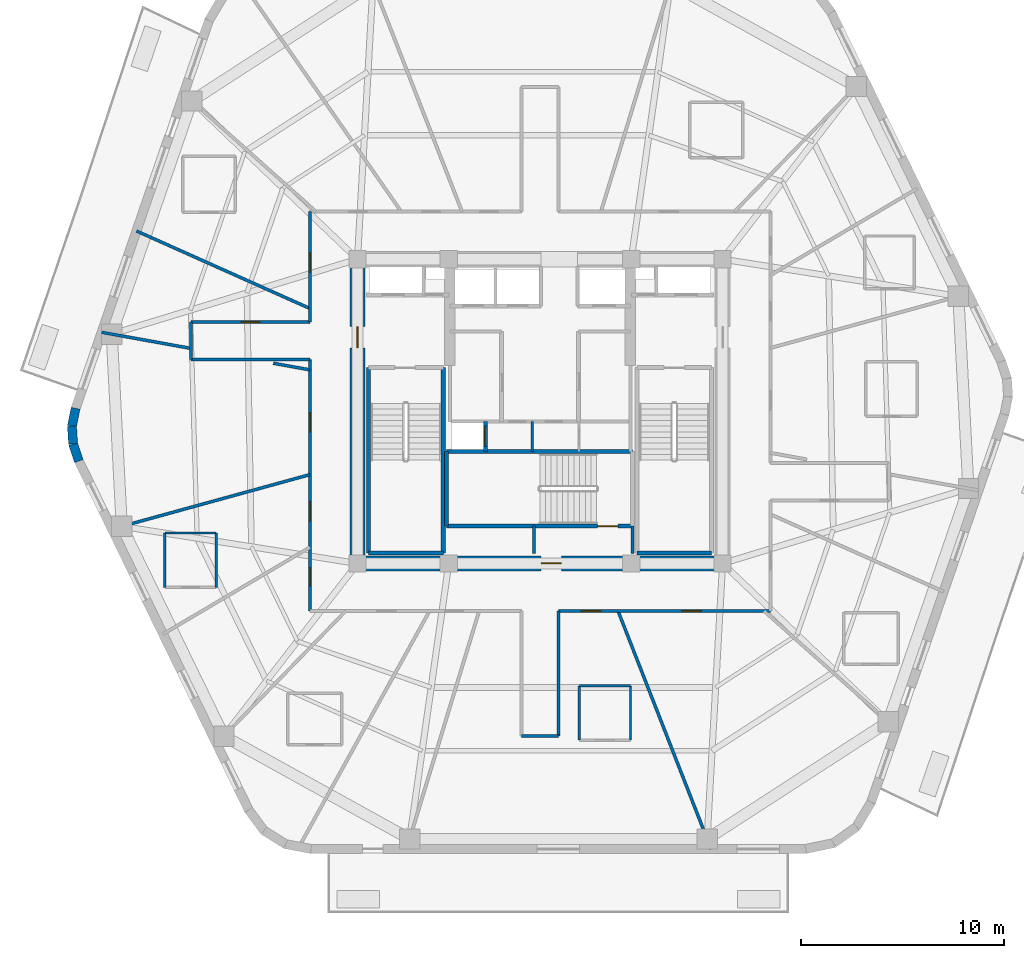
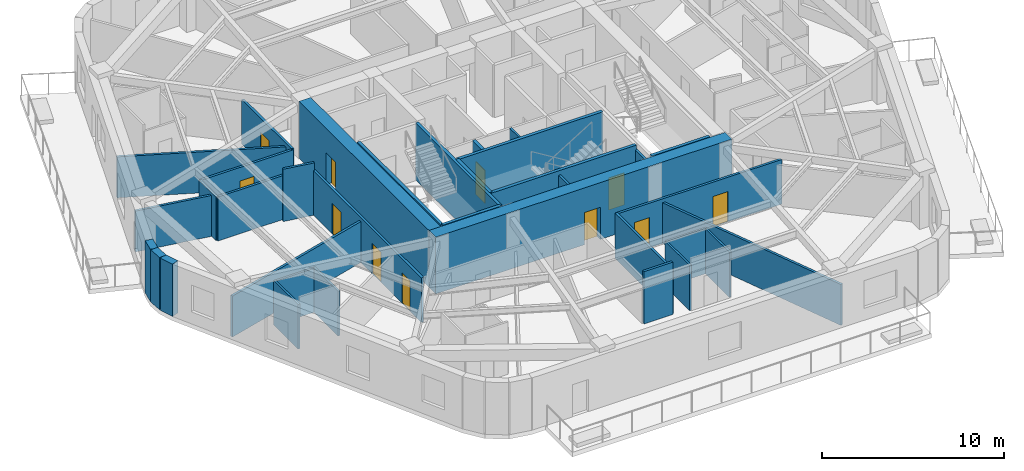
# One storey, part 3 of 9: 35 walls, 11 doors, 11 openings.
"""IFC4 building model written with IfcOpenShell, lengths in metres."""

import ifcopenshell
import ifcopenshell.guid

model = None  # the IFC model being written
_history = None  # IfcOwnerHistory: only IFC2X3 demands one
_inside = {}  # id of a spatial element -> (the spatial element, [elements in it])
_under = {}  # id of a project, library or spatial element -> (it, [spatial elements below it])
_declared = {}  # id of a project -> (the project, [libraries it declares])
_typed = {}  # id of a type object -> (the type object, [elements of that type])
_made_of = {}  # id of a material, layer set ... -> (it, [elements and type objects made of it])


def new_model(schema):
    """Start an empty IFC model of exactly this schema.

    Asked for "IFC4X3", IfcOpenShell would pick the latest addendum, in which some entities
    have other attributes; the version numbers below select the first issue.
    IFC2X3 requires an IfcOwnerHistory on every rooted entity: one is made here for all.
    """
    global model, _history
    if schema == "IFC4X3":
        model = ifcopenshell.file(schema_version=(4, 3, 0, 0))
    else:
        model = ifcopenshell.file(schema=schema)
    _inside.clear()
    _under.clear()
    _declared.clear()
    _typed.clear()
    _made_of.clear()
    _history = None
    if model.schema == "IFC2X3":
        org = make("IfcOrganization", Name="unknown")
        user = make(
            "IfcPersonAndOrganization",
            ThePerson=make("IfcPerson", FamilyName="unknown"),
            TheOrganization=org,
        )
        app = make(
            "IfcApplication",
            ApplicationDeveloper=org,
            Version="unknown",
            ApplicationFullName="unknown",
            ApplicationIdentifier="unknown",
        )
        _history = make(
            "IfcOwnerHistory",
            OwningUser=user,
            OwningApplication=app,
            ChangeAction="ADDED",
            CreationDate=0,
        )
    return model


def make(cls, **values):
    """One entity of the class cls with the attributes given. An attribute that is None is left unset."""
    return model.create_entity(
        cls, **{name: value for name, value in values.items() if value is not None}
    )


def rooted(cls, **values):
    """An entity with a GlobalId (a new one), such as an element, a storey or a relation."""
    return make(cls, GlobalId=ifcopenshell.guid.new(), OwnerHistory=_history, **values)


def si_unit(unit_type, name, prefix=None):
    """IfcSIUnit, for example si_unit("LENGTHUNIT", "METRE", prefix="MILLI")."""
    return make("IfcSIUnit", UnitType=unit_type, Prefix=prefix, Name=name)


def assignment(units):
    """IfcUnitAssignment: the units of a project."""
    return None if units is None else make("IfcUnitAssignment", Units=units)


def point(xyz):
    """IfcCartesianPoint."""
    return None if xyz is None else make("IfcCartesianPoint", Coordinates=xyz)


def direction(xyz):
    """IfcDirection."""
    return None if xyz is None else make("IfcDirection", DirectionRatios=xyz)


def frame(location, z_axis=None, x_axis=None):
    """IfcAxis2Placement3D, a coordinate frame: its origin and axes. An axis left out is left unset."""
    return make(
        "IfcAxis2Placement3D",
        Location=point(location),
        Axis=direction(z_axis),
        RefDirection=direction(x_axis),
    )


def frame_2d(location, x_axis=None):
    """IfcAxis2Placement2D, a coordinate frame in the plane: its origin and x axis."""
    return make(
        "IfcAxis2Placement2D", Location=point(location), RefDirection=direction(x_axis)
    )


def origin():
    """The frame at (0, 0, 0) with its axes left unset."""
    return frame((0.0, 0.0, 0.0))


def place(relative_to, where):
    """IfcLocalPlacement: puts the frame where relative to a parent placement (None: the world)."""
    return make(
        "IfcLocalPlacement", PlacementRelTo=relative_to, RelativePlacement=where
    )


def context(
    kind, dimensions, precision=None, world=None, true_north=None, identifier=None
):
    """IfcGeometricRepresentationContext, for example the 3D "Model" context."""
    return make(
        "IfcGeometricRepresentationContext",
        ContextIdentifier=identifier,
        ContextType=kind,
        CoordinateSpaceDimension=dimensions,
        Precision=precision,
        WorldCoordinateSystem=world,
        TrueNorth=true_north,
    )


def subcontext(parent, identifier, kind, view, scale=None):
    """IfcGeometricRepresentationSubContext, for example "Body" below "Model"."""
    return make(
        "IfcGeometricRepresentationSubContext",
        ContextIdentifier=identifier,
        ContextType=kind,
        ParentContext=parent,
        TargetScale=scale,
        TargetView=view,
    )


def project(units=None, contexts=None):
    """IfcProject with its units and contexts."""
    return rooted(
        "IfcProject",
        Name="project",
        RepresentationContexts=contexts,
        UnitsInContext=assignment(units),
    )


def spatial(cls, under=None, at=None, **own):
    """A site, building, storey or space (cls), placed at a placement, below another one or the project."""
    s = rooted(cls, ObjectPlacement=at, **own)
    if under is not None:
        _under.setdefault(under.id(), (under, []))[1].append(s)
    return s


def profile(cls, at=None, kind="AREA", **sizes):
    """A parametric profile (cls). Its sizes go by their IFC names, for example OverallWidth=200.0."""
    return make(cls, ProfileType=kind, Position=at, **sizes)


def rectangle(**sizes):
    """IfcRectangleProfileDef."""
    return profile("IfcRectangleProfileDef", **sizes)


def extrude(swept, where, along, depth):
    """IfcExtrudedAreaSolid: the profile swept, set in the frame where, extruded along a direction by depth."""
    return make(
        "IfcExtrudedAreaSolid",
        SweptArea=swept,
        Position=where,
        ExtrudedDirection=direction(along),
        Depth=depth,
    )


def shape(context_of_items, identifier, shape_type, items):
    """IfcShapeRepresentation: the items that make up one representation, for example the "Body"."""
    return make(
        "IfcShapeRepresentation",
        ContextOfItems=context_of_items,
        RepresentationIdentifier=identifier,
        RepresentationType=shape_type,
        Items=items,
    )


def material(Name=None, Category=None):
    """IfcMaterial."""
    return make("IfcMaterial", Name=Name, Category=Category)


def layer(
    of_material, thickness, ventilated=None, Name=None, Category=None, Priority=None
):
    """IfcMaterialLayer: one layer of a wall or slab, of a material (None: an air gap)."""
    return make(
        "IfcMaterialLayer",
        Material=of_material,
        LayerThickness=thickness,
        IsVentilated=ventilated,
        Name=Name,
        Category=Category,
        Priority=Priority,
    )


def layer_set(layers, Name=None):
    """IfcMaterialLayerSet."""
    return make("IfcMaterialLayerSet", MaterialLayers=layers, LayerSetName=Name)


def made_of(thing, what):
    """Note that an element or type object is made of a material, layer set ...; save() writes the relation."""
    if what is not None:
        _made_of.setdefault(what.id(), (what, []))[1].append(thing)
    return thing


def type_object(cls, material=None, **own):
    """A type object (cls), such as IfcWallType, which elements share."""
    return made_of(rooted(cls, **own), material)


def element(
    cls,
    number,
    at=None,
    inside=None,
    cuts=None,
    type_object=None,
    material=None,
    context=None,
    identifier="Body",
    shape_type=None,
    held_by="IfcProductDefinitionShape",
    body=None,
    shapes=None,
    **own,
):
    """One element of the class cls, such as IfcWall. Its Tag is "e" and its number.

    at: its placement. inside: the storey or other place that contains it. cuts: it is an
    opening in that element (IfcRelVoidsElement). A single representation is given by context,
    identifier, shape_type and body (its items); several are given by shapes. held_by: the class
    of the entity that holds the representations. save() writes the other relations.
    """
    e = rooted(cls, Tag="e%d" % number, ObjectPlacement=at, **own)
    if body is not None:
        shapes = [shape(context, identifier, shape_type, body)]
    if shapes is not None:
        e.Representation = make(held_by, Representations=shapes)
    if inside is not None:
        _inside.setdefault(inside.id(), (inside, []))[1].append(e)
    if cuts is not None:
        rooted(
            "IfcRelVoidsElement", RelatingBuildingElement=cuts, RelatedOpeningElement=e
        )
    if type_object is not None:
        _typed.setdefault(type_object.id(), (type_object, []))[1].append(e)
    return made_of(e, material)


def fill(opening, filler):
    """IfcRelFillsElement: the door or window that sits in an opening."""
    return rooted(
        "IfcRelFillsElement",
        RelatingOpeningElement=opening,
        RelatedBuildingElement=filler,
    )


def aggregate(whole, parts):
    """IfcRelAggregates: a whole, such as a stair, and the parts it consists of."""
    return rooted("IfcRelAggregates", RelatingObject=whole, RelatedObjects=parts)


def save(model, path):
    """Write the relations noted so far, then the file.

    IfcRelAggregates (storeys below a building ...), IfcRelContainedInSpatialStructure (elements
    in a storey), IfcRelDefinesByType, IfcRelAssociatesMaterial and IfcRelDeclares: one each for
    every whole, place, type object, material and project.
    """
    for whole, parts in _under.values():
        aggregate(whole, parts)
    for where, things in _inside.values():
        rooted(
            "IfcRelContainedInSpatialStructure",
            RelatedElements=things,
            RelatingStructure=where,
        )
    for kind, things in _typed.values():
        rooted("IfcRelDefinesByType", RelatedObjects=things, RelatingType=kind)
    for what, things in _made_of.values():
        rooted("IfcRelAssociatesMaterial", RelatedObjects=things, RelatingMaterial=what)
    for by, libraries in _declared.values():
        rooted("IfcRelDeclares", RelatingContext=by, RelatedDefinitions=libraries)
    model.write(path)


model = new_model("IFC4")

# Units and contexts
model_context = context("Model", 3, precision=1e-05, world=origin(), true_north=direction((0.0, 1.0)))
body_context = subcontext(model_context, "Body", "Model", "MODEL_VIEW")
ifc_project = project(units=[si_unit("LENGTHUNIT", "METRE"), si_unit("AREAUNIT", "SQUARE_METRE"), si_unit("VOLUMEUNIT", "CUBIC_METRE"), si_unit("PLANEANGLEUNIT", "RADIAN"), si_unit("MASSUNIT", "GRAM", prefix="KILO")], contexts=[model_context])

# Site, building, storey
site_placement = place(None, origin())
site = spatial("IfcSite", under=ifc_project, at=site_placement, CompositionType="ELEMENT")
building_placement = place(site_placement, origin())
building = spatial("IfcBuilding", under=site, at=building_placement, Name="Kilnhurst Terrace Hotel", CompositionType="ELEMENT")
storey_placement = place(building_placement, frame((0.0, 0.0, 225.5)))
storey = spatial("IfcBuildingStorey", under=building, at=storey_placement, Name="L56", CompositionType="ELEMENT", Elevation=225.5)

# Walls
ifc_material_1 = material(Name="Precast concrete C40/50", Category="concrete")
ifc_layer_1 = layer(ifc_material_1, 0.449951171875, Name="Precast concrete C40/50")
ifc_layer_set_1 = layer_set([ifc_layer_1], Name="Precast concrete C40/50")
wall_type_1 = type_object("IfcWallType", Name="WL-BRK-450", PredefinedType="SOLIDWALL", material=ifc_layer_set_1)
wall_1_placement = place(storey_placement, frame((-22.8984375, 0.149658203125, 0.0), z_axis=(0.0, 0.0, 1.0), x_axis=(-0.199055826889, -0.979988151858, 0.0)))
element("IfcWall", 1, at=wall_1_placement, inside=storey, type_object=wall_type_1, Name="L56 Rounded Corner Brick Wall C6.1", PredefinedType="SOLIDWALL", context=body_context, shape_type="SweptSolid", body=[
    extrude(rectangle(XDim=0.89404296875, YDim=0.449951171875, at=frame_2d((0.447021484375, 0.0))), origin(), (0.0, 0.0, 1.0), 3.5),
])
wall_2_placement = place(storey_placement, frame((-23.076416015625, -0.7265625, 0.0), z_axis=(0.0, 0.0, 1.0), x_axis=(0.060805222108, -0.998149650586, 0.0)))
element("IfcWall", 2, at=wall_2_placement, inside=storey, type_object=wall_type_1, Name="L56 Rounded Corner Brick Wall C6.2", PredefinedType="SOLIDWALL", context=body_context, shape_type="SweptSolid", body=[
    extrude(rectangle(XDim=0.87939453125, YDim=0.449951171875, at=frame_2d((0.439697265625, 0.0))), origin(), (0.0, 0.0, 1.0), 3.5),
])
wall_3_placement = place(storey_placement, frame((-23.02294921875, -1.604248046875, 0.0), z_axis=(0.0, 0.0, 1.0), x_axis=(0.316801227695, -0.948491951537, 0.0)))
element("IfcWall", 3, at=wall_3_placement, inside=storey, type_object=wall_type_1, Name="L56 Rounded Corner Brick Wall C6.3", PredefinedType="SOLIDWALL", context=body_context, shape_type="SweptSolid", body=[
    extrude(rectangle(XDim=0.89404296875, YDim=0.449951171875, at=frame_2d((0.447021484375, 0.0))), origin(), (0.0, 0.0, 1.0), 3.5),
])

# Wall, openings, doors
ifc_material_2 = material(Name="Acoustic Double-Gypsum Corridor Partition Assembly")
ifc_layer_2 = layer(ifc_material_2, 0.14990234375, Name="Acoustic Double-Gypsum Corridor Partition Assembly")
ifc_layer_set_2 = layer_set([ifc_layer_2], Name="Acoustic Double-Gypsum Corridor Partition Assembly")
wall_type_2 = type_object("IfcWallType", Name="WL-COR-150", PredefinedType="PARTITIONING", material=ifc_layer_set_2)
wall_4_placement = place(storey_placement, frame((-11.35009765625, -9.85009765625, 0.0), z_axis=(0.0, 0.0, 1.0), x_axis=(0.0, 1.0, 0.0)))
wall_4 = element("IfcWall", 4, at=wall_4_placement, inside=storey, type_object=wall_type_2, Name="L56 Interior Wall WL-L56-COR-01", PredefinedType="PARTITIONING", context=body_context, shape_type="SweptSolid", body=[
    extrude(rectangle(XDim=12.400146484375, YDim=0.14990234375, at=frame_2d((6.2001953125, 0.0))), origin(), (0.0, 0.0, 1.0), 2.989990234375),
])
opening_1_placement = place(wall_4_placement, frame((8.8349609375, 0.0, 0.0)))
opening_1 = element("IfcOpeningElement", 5, at=opening_1_placement, cuts=wall_4, Name="Opening D-60B", PredefinedType="OPENING", context=body_context, shape_type="SweptSolid", body=[
    extrude(rectangle(XDim=0.949951171875, YDim=2.030029296875, at=frame_2d((0.47509765625, 1.01513671875))), frame((0.0, 0.0849609375, 0.0), z_axis=(0.0, -1.0, 0.0), x_axis=(1.0, 0.0, 0.0)), (0.0, 0.0, 1.0), 0.169921875),
])
opening_2_placement = place(wall_4_placement, frame((4.443115234375, 0.0, 0.0)))
opening_2 = element("IfcOpeningElement", 6, at=opening_2_placement, cuts=wall_4, Name="Opening D-60B", PredefinedType="OPENING", context=body_context, shape_type="SweptSolid", body=[
    extrude(rectangle(XDim=0.949951171875, YDim=2.030029296875, at=frame_2d((0.47509765625, 1.01513671875))), frame((0.0, 0.0849609375, 0.0), z_axis=(0.0, -1.0, 0.0), x_axis=(1.0, 0.0, 0.0)), (0.0, 0.0, 1.0), 0.169921875),
])
opening_3_placement = place(wall_4_placement, frame((1.241943359375, 0.0, 0.0)))
opening_3 = element("IfcOpeningElement", 7, at=opening_3_placement, cuts=wall_4, Name="Opening D-60C", PredefinedType="OPENING", context=body_context, shape_type="SweptSolid", body=[
    extrude(rectangle(XDim=0.89990234375, YDim=2.030029296875, at=frame_2d((0.449951171875, 1.01513671875))), frame((0.0, 0.0849609375, 0.0), z_axis=(0.0, -1.0, 0.0), x_axis=(1.0, 0.0, 0.0)), (0.0, 0.0, 1.0), 0.169921875),
])
ifc_material_3 = material(Name="Painted Solid-Core Service Fire Door")
door_type_1 = type_object("IfcDoorType", Name="DR-FD60-900", OperationType="NOTDEFINED", PredefinedType="DOOR", material=ifc_material_3)
door_1_placement = place(opening_3_placement, origin())
door_1 = element("IfcDoor", 8, at=door_1_placement, inside=storey, type_object=door_type_1, Name="L56 Private Tasting Dining Room Door 11", OperationType="SINGLE_SWING_LEFT", OverallHeight=2.030029296875, OverallWidth=0.89990234375, PredefinedType="DOOR", context=body_context, shape_type="SweptSolid", body=[
    extrude(rectangle(XDim=0.89990234375, YDim=2.030029296875, at=frame_2d((0.449951171875, 1.01513671875))), frame((0.0, 0.02490234375, 0.0), z_axis=(0.0, -1.0, 0.0), x_axis=(1.0, 0.0, 0.0)), (0.0, 0.0, 1.0), 0.050048828125),
])
fill(opening_3, door_1)
ifc_material_4 = material(Name="Acoustic Walnut Veneer Solid-Core Fire Door")
door_type_2 = type_object("IfcDoorType", Name="DR-FD60-950", OperationType="NOTDEFINED", PredefinedType="DOOR", material=ifc_material_4)
door_2_placement = place(opening_1_placement, origin())
door_2 = element("IfcDoor", 9, at=door_2_placement, inside=storey, type_object=door_type_2, Name="L56 Fitness Studio Door", OperationType="SINGLE_SWING_LEFT", OverallHeight=2.030029296875, OverallWidth=0.949951171875, PredefinedType="DOOR", context=body_context, shape_type="SweptSolid", body=[
    extrude(rectangle(XDim=0.949951171875, YDim=2.030029296875, at=frame_2d((0.47509765625, 1.01513671875))), frame((0.0, 0.02490234375, 0.0), z_axis=(0.0, -1.0, 0.0), x_axis=(1.0, 0.0, 0.0)), (0.0, 0.0, 1.0), 0.050048828125),
])
fill(opening_1, door_2)
door_3_placement = place(opening_2_placement, origin())
door_3 = element("IfcDoor", 10, at=door_3_placement, inside=storey, type_object=door_type_2, Name="L56 Guest Room Entry Door 10", OperationType="SINGLE_SWING_RIGHT", OverallHeight=2.030029296875, OverallWidth=0.949951171875, PredefinedType="DOOR", context=body_context, shape_type="SweptSolid", body=[
    extrude(rectangle(XDim=0.949951171875, YDim=2.030029296875, at=frame_2d((0.47509765625, 1.01513671875))), frame((0.0, 0.02490234375, 0.0), z_axis=(0.0, -1.0, 0.0), x_axis=(1.0, 0.0, 0.0)), (0.0, 0.0, 1.0), 0.050048828125),
])
fill(opening_2, door_3)

# Walls
wall_5_placement = place(storey_placement, frame((-11.35009765625, 2.550048828125, 0.0), z_axis=(0.0, 0.0, 1.0), x_axis=(-1.0, 0.0, 0.0)))
element("IfcWall", 11, at=wall_5_placement, inside=storey, type_object=wall_type_2, Name="L56 Interior Wall WL-L56-COR-02", PredefinedType="PARTITIONING", context=body_context, shape_type="SweptSolid", body=[
    extrude(rectangle(XDim=5.849853515625, YDim=0.14990234375, at=frame_2d((2.9248046875, 0.0))), origin(), (0.0, 0.0, 1.0), 2.9404296875),
])
wall_6_placement = place(storey_placement, frame((-17.199951171875, 2.550048828125, 0.0), z_axis=(0.0, 0.0, 1.0), x_axis=(0.0, 1.0, 0.0)))
element("IfcWall", 12, at=wall_6_placement, inside=storey, type_object=wall_type_2, Name="L56 Interior Wall WL-L56-COR-03", PredefinedType="PARTITIONING", context=body_context, shape_type="SweptSolid", body=[
    extrude(rectangle(XDim=1.849853515625, YDim=0.14990234375, at=frame_2d((0.9248046875, 0.0))), origin(), (0.0, 0.0, 1.0), 2.9404296875),
])

# Wall, opening, door
wall_7_placement = place(storey_placement, frame((-17.199951171875, 4.39990234375, 0.0), z_axis=(0.0, 0.0, 1.0), x_axis=(1.0, 0.0, 0.0)))
wall_7 = element("IfcWall", 13, at=wall_7_placement, inside=storey, type_object=wall_type_2, Name="L56 Interior Wall WL-L56-COR-04", PredefinedType="PARTITIONING", context=body_context, shape_type="SweptSolid", body=[
    extrude(rectangle(XDim=5.849853515625, YDim=0.14990234375, at=frame_2d((2.9248046875, 0.0))), origin(), (0.0, 0.0, 1.0), 2.9404296875),
])
opening_4_placement = place(wall_7_placement, frame((2.47509765625, 0.0, 0.0)))
opening_4 = element("IfcOpeningElement", 14, at=opening_4_placement, cuts=wall_7, Name="Opening D-60C", PredefinedType="OPENING", context=body_context, shape_type="SweptSolid", body=[
    extrude(rectangle(XDim=0.89990234375, YDim=2.030029296875, at=frame_2d((0.449951171875, 1.01513671875))), frame((0.0, 0.0849609375, 0.0), z_axis=(0.0, -1.0, 0.0), x_axis=(1.0, 0.0, 0.0)), (0.0, 0.0, 1.0), 0.169921875),
])
door_4_placement = place(opening_4_placement, origin())
door_4 = element("IfcDoor", 15, at=door_4_placement, inside=storey, type_object=door_type_1, Name="L56 Wellness Consultation Room Door 8", OperationType="SINGLE_SWING_RIGHT", OverallHeight=2.030029296875, OverallWidth=0.89990234375, PredefinedType="DOOR", context=body_context, shape_type="SweptSolid", body=[
    extrude(rectangle(XDim=0.89990234375, YDim=2.030029296875, at=frame_2d((0.449951171875, 1.01513671875))), frame((0.0, 0.02490234375, 0.0), z_axis=(0.0, -1.0, 0.0), x_axis=(1.0, 0.0, 0.0)), (0.0, 0.0, 1.0), 0.050048828125),
])
fill(opening_4, door_4)

wall_8_placement = place(storey_placement, frame((-11.35009765625, 4.39990234375, 0.0), z_axis=(0.0, 0.0, 1.0), x_axis=(0.0, 1.0, 0.0)))
wall_8 = element("IfcWall", 16, at=wall_8_placement, inside=storey, type_object=wall_type_2, Name="L56 Interior Wall WL-L56-COR-05", PredefinedType="PARTITIONING", context=body_context, shape_type="SweptSolid", body=[
    extrude(rectangle(XDim=5.4501953125, YDim=0.14990234375, at=frame_2d((2.72509765625, 0.0))), origin(), (0.0, 0.0, 1.0), 2.989990234375),
])
opening_5_placement = place(wall_8_placement, frame((2.466064453125, 0.0, 0.0)))
opening_5 = element("IfcOpeningElement", 17, at=opening_5_placement, cuts=wall_8, Name="Opening D-60B", PredefinedType="OPENING", context=body_context, shape_type="SweptSolid", body=[
    extrude(rectangle(XDim=0.949951171875, YDim=2.030029296875, at=frame_2d((0.47509765625, 1.01513671875))), frame((0.0, 0.0849609375, 0.0), z_axis=(0.0, -1.0, 0.0), x_axis=(1.0, 0.0, 0.0)), (0.0, 0.0, 1.0), 0.169921875),
])
door_5_placement = place(opening_5_placement, origin())
door_5 = element("IfcDoor", 18, at=door_5_placement, inside=storey, type_object=door_type_2, Name="L56 Guest Room Entry Door 7", OperationType="SINGLE_SWING_LEFT", OverallHeight=2.030029296875, OverallWidth=0.949951171875, PredefinedType="DOOR", context=body_context, shape_type="SweptSolid", body=[
    extrude(rectangle(XDim=0.949951171875, YDim=2.030029296875, at=frame_2d((0.47509765625, 1.01513671875))), frame((0.0, 0.02490234375, 0.0), z_axis=(0.0, -1.0, 0.0), x_axis=(1.0, 0.0, 0.0)), (0.0, 0.0, 1.0), 0.050048828125),
])
fill(opening_5, door_5)

# Wall, openings, doors
wall_9_placement = place(storey_placement, frame((11.35009765625, -9.85009765625, 0.0), z_axis=(0.0, 0.0, 1.0), x_axis=(-1.0, 0.0, 0.0)))
wall_9 = element("IfcWall", 19, at=wall_9_placement, inside=storey, type_object=wall_type_2, Name="L56 Interior Wall WL-L56-COR-16", PredefinedType="PARTITIONING", context=body_context, shape_type="SweptSolid", body=[
    extrude(rectangle(XDim=10.43017578125, YDim=0.14990234375, at=frame_2d((5.215087890625, 0.0))), origin(), (0.0, 0.0, 1.0), 2.989990234375),
])
opening_6_placement = place(wall_9_placement, frame((8.362060546875, 0.0, 0.0)))
opening_6 = element("IfcOpeningElement", 20, at=opening_6_placement, cuts=wall_9, Name="Opening D-60B", PredefinedType="OPENING", context=body_context, shape_type="SweptSolid", body=[
    extrude(rectangle(XDim=0.949951171875, YDim=2.030029296875, at=frame_2d((0.47509765625, 1.01513671875))), frame((0.0, 0.0849609375, 0.0), z_axis=(0.0, -1.0, 0.0), x_axis=(1.0, 0.0, 0.0)), (0.0, 0.0, 1.0), 0.169921875),
])
opening_7_placement = place(wall_9_placement, frame((3.39599609375, 0.0, 0.0)))
opening_7 = element("IfcOpeningElement", 21, at=opening_7_placement, cuts=wall_9, Name="Opening D-60B", PredefinedType="OPENING", context=body_context, shape_type="SweptSolid", body=[
    extrude(rectangle(XDim=0.949951171875, YDim=2.030029296875, at=frame_2d((0.47509765625, 1.01513671875))), frame((0.0, 0.0849609375, 0.0), z_axis=(0.0, -1.0, 0.0), x_axis=(1.0, 0.0, 0.0)), (0.0, 0.0, 1.0), 0.169921875),
])
door_6_placement = place(opening_6_placement, origin())
door_6 = element("IfcDoor", 22, at=door_6_placement, inside=storey, type_object=door_type_2, Name="L56 Executive Suite Entry Door 14", OperationType="SINGLE_SWING_RIGHT", OverallHeight=2.030029296875, OverallWidth=0.949951171875, PredefinedType="DOOR", context=body_context, shape_type="SweptSolid", body=[
    extrude(rectangle(XDim=0.949951171875, YDim=2.030029296875, at=frame_2d((0.47509765625, 1.01513671875))), frame((0.0, 0.02490234375, 0.0), z_axis=(0.0, -1.0, 0.0), x_axis=(1.0, 0.0, 0.0)), (0.0, 0.0, 1.0), 0.050048828125),
])
fill(opening_6, door_6)
door_7_placement = place(opening_7_placement, origin())
door_7 = element("IfcDoor", 23, at=door_7_placement, inside=storey, type_object=door_type_2, Name="L56 Reading Study Door", OperationType="SINGLE_SWING_LEFT", OverallHeight=2.030029296875, OverallWidth=0.949951171875, PredefinedType="DOOR", context=body_context, shape_type="SweptSolid", body=[
    extrude(rectangle(XDim=0.949951171875, YDim=2.030029296875, at=frame_2d((0.47509765625, 1.01513671875))), frame((0.0, 0.02490234375, 0.0), z_axis=(0.0, -1.0, 0.0), x_axis=(1.0, 0.0, 0.0)), (0.0, 0.0, 1.0), 0.050048828125),
])
fill(opening_7, door_7)

# Walls
wall_10_placement = place(storey_placement, frame((0.919921875, -9.85009765625, 0.0), z_axis=(0.0, 0.0, 1.0), x_axis=(0.0, -1.0, 0.0)))
element("IfcWall", 24, at=wall_10_placement, inside=storey, type_object=wall_type_2, Name="L56 Interior Wall WL-L56-COR-17", PredefinedType="PARTITIONING", context=body_context, shape_type="SweptSolid", body=[
    extrude(rectangle(XDim=6.14990234375, YDim=0.14990234375, at=frame_2d((3.074951171875, 0.0))), origin(), (0.0, 0.0, 1.0), 3.026611328125),
])
wall_11_placement = place(storey_placement, frame((0.919921875, -16.0, 0.0), z_axis=(0.0, 0.0, 1.0), x_axis=(-1.0, 0.0, 0.0)))
element("IfcWall", 25, at=wall_11_placement, inside=storey, type_object=wall_type_2, Name="L56 Interior Wall WL-L56-COR-18", PredefinedType="PARTITIONING", context=body_context, shape_type="SweptSolid", body=[
    extrude(rectangle(XDim=1.83984375, YDim=0.14990234375, at=frame_2d((0.919921875, 0.0))), origin(), (0.0, 0.0, 1.0), 3.5),
])

# Wall, opening, door
ifc_material_5 = material(Name="Concrete C60/75", Category="concrete")
ifc_layer_3 = layer(ifc_material_5, 0.75, Name="Concrete C60/75")
ifc_layer_set_3 = layer_set([ifc_layer_3], Name="Concrete C60/75")
wall_type_3 = type_object("IfcWallType", Name="WL-CORE-750", PredefinedType="SHEAR", material=ifc_layer_set_3)
wall_12_placement = place(storey_placement, frame((-9.375, -7.5, 0.0), z_axis=(0.0, 0.0, 1.0), x_axis=(1.0, 0.0, 0.0)))
wall_12 = element("IfcWall", 26, at=wall_12_placement, inside=storey, type_object=wall_type_3, Name="L56 Core South Shear Wall", PredefinedType="SHEAR", context=body_context, shape_type="SweptSolid", body=[
    extrude(rectangle(XDim=18.75, YDim=0.75, at=frame_2d((9.375, 0.0))), origin(), (0.0, 0.0, 1.0), 3.800048828125),
])
opening_8_placement = place(wall_12_placement, frame((9.425048828125, 0.0, 0.0)))
opening_8 = element("IfcOpeningElement", 27, at=opening_8_placement, cuts=wall_12, Name="Opening D-90B", PredefinedType="OPENING", context=body_context, shape_type="SweptSolid", body=[
    extrude(rectangle(XDim=1.0, YDim=2.14990234375, at=frame_2d((0.5, 1.074951171875))), frame((0.0, 0.385009765625, 0.0), z_axis=(0.0, -1.0, 0.0), x_axis=(1.0, 0.0, 0.0)), (0.0, 0.0, 1.0), 0.77001953125),
])
ifc_material_6 = material(Name="Painted Hollow Metal Steel ASTM A36 Fire Door", Category="steel")
door_type_3 = type_object("IfcDoorType", Name="DR-FD90-1000", OperationType="NOTDEFINED", PredefinedType="DOOR", material=ifc_material_6)
door_8_placement = place(opening_8_placement, origin())
door_8 = element("IfcDoor", 28, at=door_8_placement, inside=storey, type_object=door_type_3, Name="L56 Stair ST-3 Corridor Door", OperationType="SINGLE_SWING_RIGHT", OverallHeight=2.14990234375, OverallWidth=1.0, PredefinedType="DOOR", context=body_context, shape_type="SweptSolid", body=[
    extrude(rectangle(XDim=1.0, YDim=2.14990234375, at=frame_2d((0.5, 1.074951171875))), frame((0.0, 0.02490234375, 0.0), z_axis=(0.0, -1.0, 0.0), x_axis=(1.0, 0.0, 0.0)), (0.0, 0.0, 1.0), 0.050048828125),
])
fill(opening_8, door_8)

wall_13_placement = place(storey_placement, frame((-9.0, -7.125, 0.0), z_axis=(0.0, 0.0, 1.0), x_axis=(0.0, 1.0, 0.0)))
wall_13 = element("IfcWall", 29, at=wall_13_placement, inside=storey, type_object=wall_type_3, Name="L56 Core West Shear Wall", PredefinedType="SHEAR", context=body_context, shape_type="SweptSolid", body=[
    extrude(rectangle(XDim=14.25, YDim=0.75, at=frame_2d((7.125, 0.0))), origin(), (0.0, 0.0, 1.0), 3.800048828125),
])
opening_9_placement = place(wall_13_placement, frame((10.25, 0.0, 0.0)))
opening_9 = element("IfcOpeningElement", 30, at=opening_9_placement, cuts=wall_13, Name="Opening D-90A", PredefinedType="OPENING", context=body_context, shape_type="SweptSolid", body=[
    extrude(rectangle(XDim=1.050048828125, YDim=2.14990234375, at=frame_2d((0.52490234375, 1.074951171875))), frame((0.0, 0.385009765625, 0.0), z_axis=(0.0, -1.0, 0.0), x_axis=(1.0, 0.0, 0.0)), (0.0, 0.0, 1.0), 0.77001953125),
])
door_type_4 = type_object("IfcDoorType", Name="DR-FD90-1050", OperationType="NOTDEFINED", PredefinedType="DOOR", material=ifc_material_6)
door_9_placement = place(opening_9_placement, origin())
door_9 = element("IfcDoor", 31, at=door_9_placement, inside=storey, type_object=door_type_4, Name="L56 West Firefighting Lobby Door", OperationType="SINGLE_SWING_RIGHT", OverallHeight=2.14990234375, OverallWidth=1.050048828125, PredefinedType="DOOR", context=body_context, shape_type="SweptSolid", body=[
    extrude(rectangle(XDim=1.050048828125, YDim=2.14990234375, at=frame_2d((0.52490234375, 1.074951171875))), frame((0.0, 0.02490234375, 0.0), z_axis=(0.0, -1.0, 0.0), x_axis=(1.0, 0.0, 0.0)), (0.0, 0.0, 1.0), 0.050048828125),
])
fill(opening_9, door_9)

# Walls
ifc_material_7 = material(Name="STC-58 Acoustic Twin-Frame Guestroom Demising Partition")
ifc_layer_4 = layer(ifc_material_7, 0.14990234375, Name="STC-58 Acoustic Twin-Frame Guestroom Demising Partition")
ifc_layer_set_4 = layer_set([ifc_layer_4], Name="STC-58 Acoustic Twin-Frame Guestroom Demising Partition")
wall_type_4 = type_object("IfcWallType", Name="WL-DEM-150", PredefinedType="PARTITIONING", material=ifc_layer_set_4)
wall_14_placement = place(storey_placement, frame((-11.35009765625, 5.072021484375, 0.0), z_axis=(0.0, 0.0, 1.0), x_axis=(-0.912980177983, 0.408003914944, 0.0)))
element("IfcWall", 32, at=wall_14_placement, inside=storey, type_object=wall_type_4, Name="L56 Interior Wall WL-L56-DEM-MID05-08-1", PredefinedType="PARTITIONING", context=body_context, shape_type="SweptSolid", body=[
    extrude(rectangle(XDim=9.358154296875, YDim=0.14990234375, at=frame_2d((4.67919921875, 0.0))), origin(), (0.0, 0.0, 1.0), 2.739990234375),
])
wall_15_placement = place(storey_placement, frame((-11.35009765625, 2.046142578125, 0.0), z_axis=(0.0, 0.0, 1.0), x_axis=(-0.984127783205, 0.177461281195, 0.0)))
element("IfcWall", 33, at=wall_15_placement, inside=storey, type_object=wall_type_4, Name="L56 Interior Wall WL-L56-DEM-COL06-09-1", PredefinedType="PARTITIONING", context=body_context, shape_type="SweptSolid", body=[
    extrude(rectangle(XDim=1.82568359375, YDim=0.14990234375, at=frame_2d((0.912841796875, 0.0))), origin(), (0.0, 0.0, 1.0), 3.5),
])
wall_16_placement = place(storey_placement, frame((-17.199951171875, 3.1005859375, 0.0), z_axis=(0.0, 0.0, 1.0), x_axis=(-0.98413465883, 0.177423147559, 0.0)))
element("IfcWall", 34, at=wall_16_placement, inside=storey, type_object=wall_type_4, Name="L56 Interior Wall WL-L56-DEM-COL06-09-2", PredefinedType="PARTITIONING", context=body_context, shape_type="SweptSolid", body=[
    extrude(rectangle(XDim=4.481689453125, YDim=0.14990234375, at=frame_2d((2.24072265625, 0.0))), origin(), (0.0, 0.0, 1.0), 2.739990234375),
])
wall_17_placement = place(storey_placement, frame((-11.35009765625, -3.12060546875, 0.0), z_axis=(0.0, 0.0, 1.0), x_axis=(-0.964212793822, -0.265129568758, 0.0)))
element("IfcWall", 35, at=wall_17_placement, inside=storey, type_object=wall_type_4, Name="L56 Interior Wall WL-L56-DEM-COL07-10-1", PredefinedType="PARTITIONING", context=body_context, shape_type="SweptSolid", body=[
    extrude(rectangle(XDim=10.119873046875, YDim=0.14990234375, at=frame_2d((5.06005859375, 0.0))), origin(), (0.0, 0.0, 1.0), 2.739990234375),
])
wall_18_placement = place(storey_placement, frame((3.848388671875, -9.85009765625, 0.0), z_axis=(0.0, 0.0, 1.0), x_axis=(0.363921778212, -0.931429513889, 0.0)))
element("IfcWall", 36, at=wall_18_placement, inside=storey, type_object=wall_type_4, Name="L56 Interior Wall WL-L56-DEM-COL10-15-1", PredefinedType="PARTITIONING", context=body_context, shape_type="SweptSolid", body=[
    extrude(rectangle(XDim=12.588134765625, YDim=0.14990234375, at=frame_2d((6.2939453125, 0.0))), origin(), (0.0, 0.0, 1.0), 2.739990234375),
])
ifc_material_8 = material(Name="120 mm Moisture-Resistant Tile-Backed Bathroom Partition")
ifc_layer_5 = layer(ifc_material_8, 0.1201171875, Name="120 mm Moisture-Resistant Tile-Backed Bathroom Partition")
ifc_layer_set_5 = layer_set([ifc_layer_5], Name="120 mm Moisture-Resistant Tile-Backed Bathroom Partition")
wall_type_5 = type_object("IfcWallType", Name="WL-PART-120", PredefinedType="PARTITIONING", material=ifc_layer_set_5)
wall_19_placement = place(storey_placement, frame((-0.3798828125, -1.971923828125, 0.0), z_axis=(0.0, 0.0, 1.0), x_axis=(0.0, 1.0, 0.0)))
element("IfcWall", 37, at=wall_19_placement, inside=storey, type_object=wall_type_5, Name="L56 Interior Wall WL-L56-BOH-C1", PredefinedType="PARTITIONING", context=body_context, shape_type="SweptSolid", body=[
    extrude(rectangle(XDim=1.471923828125, YDim=0.1201171875, at=frame_2d((0.73583984375, 0.0))), origin(), (0.0, 0.0, 1.0), 3.5),
])
wall_20_placement = place(storey_placement, frame((-15.971923828125, -8.678955078125, 0.0), z_axis=(0.0, 0.0, 1.0), x_axis=(0.0, 1.0, 0.0)))
element("IfcWall", 38, at=wall_20_placement, inside=storey, type_object=wall_type_5, Name="L56 Interior Wall WL-L56-BTH-10-2", PredefinedType="PARTITIONING", context=body_context, shape_type="SweptSolid", body=[
    extrude(rectangle(XDim=2.679931640625, YDim=0.1201171875, at=frame_2d((1.33984375, 0.0))), origin(), (0.0, 0.0, 1.0), 2.989990234375),
])
wall_21_placement = place(storey_placement, frame((-15.971923828125, -5.9990234375, 0.0), z_axis=(0.0, 0.0, 1.0), x_axis=(-1.0, 0.0, 0.0)))
element("IfcWall", 39, at=wall_21_placement, inside=storey, type_object=wall_type_5, Name="L56 Interior Wall WL-L56-BTH-10-3", PredefinedType="PARTITIONING", context=body_context, shape_type="SweptSolid", body=[
    extrude(rectangle(XDim=2.52001953125, YDim=0.1201171875, at=frame_2d((1.260009765625, 0.0))), origin(), (0.0, 0.0, 1.0), 2.9404296875),
])
wall_22_placement = place(storey_placement, frame((-18.491943359375, -5.9990234375, 0.0), z_axis=(0.0, 0.0, 1.0), x_axis=(0.0, -1.0, 0.0)))
element("IfcWall", 40, at=wall_22_placement, inside=storey, type_object=wall_type_5, Name="L56 Interior Wall WL-L56-BTH-10-4", PredefinedType="PARTITIONING", context=body_context, shape_type="SweptSolid", body=[
    extrude(rectangle(XDim=2.679931640625, YDim=0.1201171875, at=frame_2d((1.33984375, 0.0))), origin(), (0.0, 0.0, 1.0), 2.989990234375),
])
wall_23_placement = place(storey_placement, frame((4.4580078125, -16.215087890625, 0.0), z_axis=(0.0, 0.0, 1.0), x_axis=(0.0, 1.0, 0.0)))
element("IfcWall", 41, at=wall_23_placement, inside=storey, type_object=wall_type_5, Name="L56 Interior Wall WL-L56-BTH-14-2", PredefinedType="PARTITIONING", context=body_context, shape_type="SweptSolid", body=[
    extrude(rectangle(XDim=2.68017578125, YDim=0.1201171875, at=frame_2d((1.340087890625, 0.0))), origin(), (0.0, 0.0, 1.0), 3.026611328125),
])
wall_24_placement = place(storey_placement, frame((4.4580078125, -13.534912109375, 0.0), z_axis=(0.0, 0.0, 1.0), x_axis=(-1.0, 0.0, 0.0)))
element("IfcWall", 42, at=wall_24_placement, inside=storey, type_object=wall_type_5, Name="L56 Interior Wall WL-L56-BTH-14-3", PredefinedType="PARTITIONING", context=body_context, shape_type="SweptSolid", body=[
    extrude(rectangle(XDim=2.52001953125, YDim=0.1201171875, at=frame_2d((1.260009765625, 0.0))), origin(), (0.0, 0.0, 1.0), 3.026611328125),
])
wall_25_placement = place(storey_placement, frame((1.93798828125, -13.534912109375, 0.0), z_axis=(0.0, 0.0, 1.0), x_axis=(0.0, -1.0, 0.0)))
element("IfcWall", 43, at=wall_25_placement, inside=storey, type_object=wall_type_5, Name="L56 Interior Wall WL-L56-BTH-14-4", PredefinedType="PARTITIONING", context=body_context, shape_type="SweptSolid", body=[
    extrude(rectangle(XDim=2.68017578125, YDim=0.1201171875, at=frame_2d((1.340087890625, 0.0))), origin(), (0.0, 0.0, 1.0), 3.026611328125),
])
ifc_material_9 = material(Name="Fire-Rated Gypsum Shaftliner Assembly")
ifc_layer_6 = layer(ifc_material_9, 0.14990234375, Name="Fire-Rated Gypsum Shaftliner Assembly")
ifc_layer_set_6 = layer_set([ifc_layer_6], Name="Fire-Rated Gypsum Shaftliner Assembly")
wall_type_6 = type_object("IfcWallType", Name="WL-SHAFT-150", PredefinedType="PARTITIONING", material=ifc_layer_set_6)
for number, where, z_axis, x_axis, name in (
    (44, (-0.300048828125, -7.02001953125, 0.0), (0.0, 0.0, 1.0), (0.0, 1.0, 0.0), "L56 Interior Wall WL-L56-ST3-PSGW"),
    (45, (4.55810546875, -7.02001953125, 0.0), (0.0, 0.0, 1.0), (0.0, 1.0, 0.0), "L56 Interior Wall WL-L56-ST3-PSGE"),
):
    element("IfcWall", number, at=place(storey_placement, frame(where, z_axis=z_axis, x_axis=x_axis)), inside=storey, type_object=wall_type_6, Name=name, PredefinedType="PARTITIONING", context=body_context, shape_type="SweptSolid", body=[
        extrude(rectangle(XDim=1.362060546875, YDim=0.14990234375, at=frame_2d((0.68115234375, 0.0))), origin(), (0.0, 0.0, 1.0), 3.5),
    ])

# Wall, opening, door
ifc_material_10 = material(Name="Autoclaved Aerated Concrete C30/37 and Gypsum Shaft Assembly", Category="concrete")
ifc_layer_7 = layer(ifc_material_10, 0.199951171875, Name="Autoclaved Aerated Concrete C30/37 and Gypsum Shaft Assembly")
ifc_layer_set_7 = layer_set([ifc_layer_7], Name="Autoclaved Aerated Concrete C30/37 and Gypsum Shaft Assembly")
wall_type_7 = type_object("IfcWallType", Name="WL-SHAFT-200", PredefinedType="PARTITIONING", material=ifc_layer_set_7)
wall_26_placement = place(storey_placement, frame((-2.699951171875, -1.971923828125, 0.0), z_axis=(0.0, 0.0, 1.0), x_axis=(0.0, 1.0, 0.0)))
wall_26 = element("IfcWall", 46, at=wall_26_placement, inside=storey, type_object=wall_type_7, Name="L56 Interior Wall WL-L56-SRV1-E", PredefinedType="PARTITIONING", context=body_context, shape_type="SweptSolid", body=[
    extrude(rectangle(XDim=1.471923828125, YDim=0.199951171875, at=frame_2d((0.73583984375, 0.0))), origin(), (0.0, 0.0, 1.0), 3.5),
])
opening_10_placement = place(wall_26_placement, frame((0.239990234375, 0.0, 0.0)))
opening_10 = element("IfcOpeningElement", 47, at=opening_10_placement, cuts=wall_26, Name="Opening LD-SV", PredefinedType="OPENING", context=body_context, shape_type="SweptSolid", body=[
    extrude(rectangle(XDim=1.0, YDim=2.199951171875, at=frame_2d((0.5, 1.10009765625))), frame((0.0, 0.10986328125, 0.0), z_axis=(0.0, -1.0, 0.0), x_axis=(1.0, 0.0, 0.0)), (0.0, 0.0, 1.0), 0.219970703125),
])
ifc_material_11 = material(Name="Bronze-Anodized Stainless Steel AISI 316L Sliding Door", Category="steel")
door_type_5 = type_object("IfcDoorType", Name="DR-LIFT-1000", OperationType="NOTDEFINED", PredefinedType="DOOR", material=ifc_material_11)
door_10_placement = place(opening_10_placement, origin())
door_10 = element("IfcDoor", 48, at=door_10_placement, inside=storey, type_object=door_type_5, Name="L56 Service Lift SRV-1 Landing Door", OperationType="SLIDING_TO_LEFT", OverallHeight=2.199951171875, OverallWidth=1.0, PredefinedType="DOOR", context=body_context, shape_type="SweptSolid", body=[
    extrude(rectangle(XDim=1.0, YDim=2.199951171875, at=frame_2d((0.5, 1.10009765625))), frame((0.0, 0.02490234375, 0.0), z_axis=(0.0, -1.0, 0.0), x_axis=(1.0, 0.0, 0.0)), (0.0, 0.0, 1.0), 0.050048828125),
])
fill(opening_10, door_10)

# Walls
ifc_material_12 = material(Name="Concrete C50/60", Category="concrete")
ifc_layer_8 = layer(ifc_material_12, 0.199951171875, Name="Concrete C50/60")
ifc_layer_set_8 = layer_set([ifc_layer_8], Name="Concrete C50/60")
wall_type_8 = type_object("IfcWallType", Name="WL-STAIR-RC-200", PredefinedType="SHEAR", material=ifc_layer_set_8)
for number, where, z_axis, x_axis, name in (
    (49, (-8.4580078125, -6.985107421875, 0.0), (0.0, 0.0, 1.0), (0.0, 1.0, 0.0), "L56 Structural Stair Shaft Wall WL-L56-ST1-W"),
    (50, (-4.77197265625, -6.985107421875, 0.0), (0.0, 0.0, 1.0), (0.0, 1.0, 0.0), "L56 Structural Stair Shaft Wall WL-L56-ST1-E"),
):
    element("IfcWall", number, at=place(storey_placement, frame(where, z_axis=z_axis, x_axis=x_axis)), inside=storey, type_object=wall_type_8, Name=name, PredefinedType="SHEAR", context=body_context, shape_type="SweptSolid", body=[
        extrude(rectangle(XDim=9.14306640625, YDim=0.199951171875, at=frame_2d((4.571533203125, 0.0))), origin(), (0.0, 0.0, 1.0), 3.800048828125),
    ])
for number, where, z_axis, x_axis, name in (
    (51, (-8.4580078125, -6.985107421875, 0.0), (0.0, 0.0, 1.0), (1.0, 0.0, 0.0), "L56 Structural Stair Shaft Wall WL-L56-ST1-S"),
    (52, (4.77197265625, -6.985107421875, 0.0), (0.0, 0.0, 1.0), (1.0, 0.0, 0.0), "L56 Structural Stair Shaft Wall WL-L56-ST2-S"),
    (53, (-4.60791015625, -5.657958984375, 0.0), (0.0, 0.0, 1.0), (0.0, 1.0, 0.0), "L56 Structural Stair Shaft Wall WL-L56-ST3-W"),
):
    element("IfcWall", number, at=place(storey_placement, frame(where, z_axis=z_axis, x_axis=x_axis)), inside=storey, type_object=wall_type_8, Name=name, PredefinedType="SHEAR", context=body_context, shape_type="SweptSolid", body=[
        extrude(rectangle(XDim=3.68603515625, YDim=0.199951171875, at=frame_2d((1.843017578125, 0.0))), origin(), (0.0, 0.0, 1.0), 3.800048828125),
    ])

# Wall, opening, door
wall_27_placement = place(storey_placement, frame((-4.60791015625, -5.657958984375, 0.0), z_axis=(0.0, 0.0, 1.0), x_axis=(1.0, 0.0, 0.0)))
wall_27 = element("IfcWall", 54, at=wall_27_placement, inside=storey, type_object=wall_type_8, Name="L56 Structural Stair Shaft Wall WL-L56-ST3-S", PredefinedType="SHEAR", context=body_context, shape_type="SweptSolid", body=[
    extrude(rectangle(XDim=9.166015625, YDim=0.199951171875, at=frame_2d((4.5830078125, 0.0))), origin(), (0.0, 0.0, 1.0), 3.800048828125),
])
opening_11_placement = place(wall_27_placement, frame((7.449951171875, 0.0, 0.0)))
opening_11 = element("IfcOpeningElement", 55, at=opening_11_placement, cuts=wall_27, Name="Opening D-90B", PredefinedType="OPENING", context=body_context, shape_type="SweptSolid", body=[
    extrude(rectangle(XDim=1.0, YDim=2.14990234375, at=frame_2d((0.5, 1.074951171875))), frame((0.0, 0.10986328125, 0.0), z_axis=(0.0, -1.0, 0.0), x_axis=(1.0, 0.0, 0.0)), (0.0, 0.0, 1.0), 0.219970703125),
])
door_11_placement = place(opening_11_placement, origin())
door_11 = element("IfcDoor", 56, at=door_11_placement, inside=storey, type_object=door_type_3, Name="L56 Stair ST-3 Shaft Door", OperationType="SINGLE_SWING_LEFT", OverallHeight=2.14990234375, OverallWidth=1.0, PredefinedType="DOOR", context=body_context, shape_type="SweptSolid", body=[
    extrude(rectangle(XDim=1.0, YDim=2.14990234375, at=frame_2d((0.5, 1.074951171875))), frame((0.0, 0.02490234375, 0.0), z_axis=(0.0, -1.0, 0.0), x_axis=(1.0, 0.0, 0.0)), (0.0, 0.0, 1.0), 0.050048828125),
])
fill(opening_11, door_11)

# Wall
wall_28_placement = place(storey_placement, frame((-4.60791015625, -1.971923828125, 0.0), z_axis=(0.0, 0.0, 1.0), x_axis=(1.0, 0.0, 0.0)))
element("IfcWall", 57, at=wall_28_placement, inside=storey, type_object=wall_type_8, Name="L56 Structural Stair Shaft Wall WL-L56-ST3-N", PredefinedType="SHEAR", context=body_context, shape_type="SweptSolid", body=[
    extrude(rectangle(XDim=9.166015625, YDim=0.199951171875, at=frame_2d((4.5830078125, 0.0))), origin(), (0.0, 0.0, 1.0), 3.800048828125),
])

save(model, "model.ifc")
